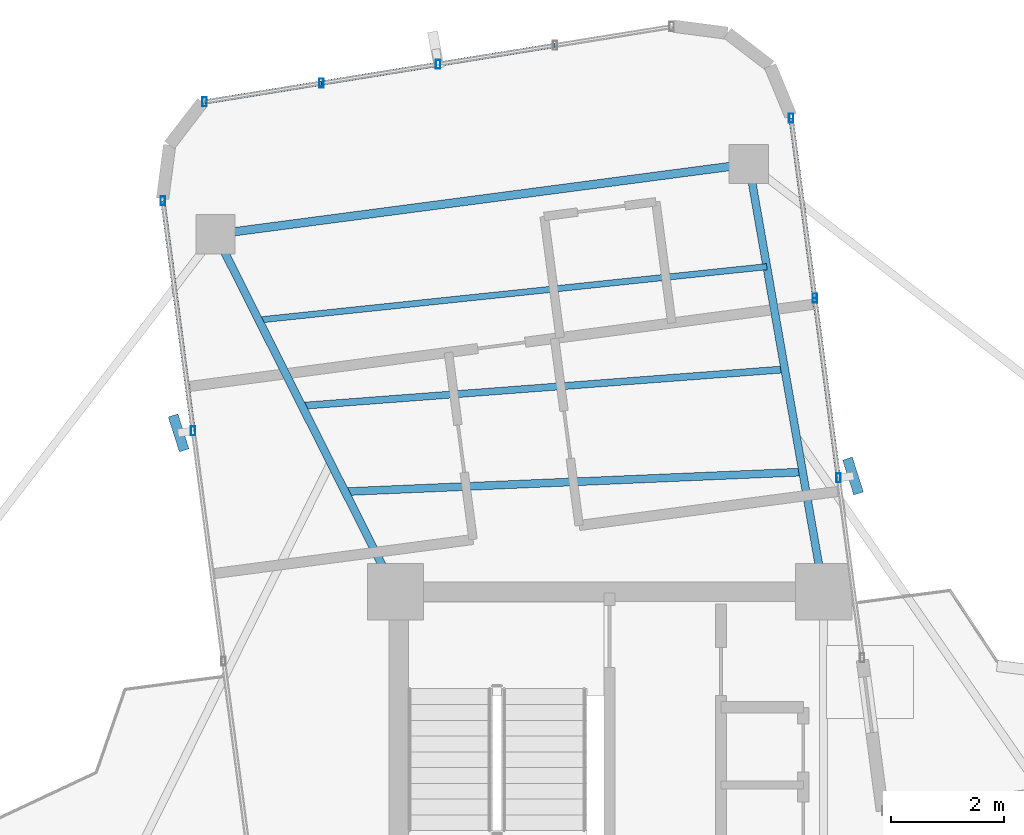
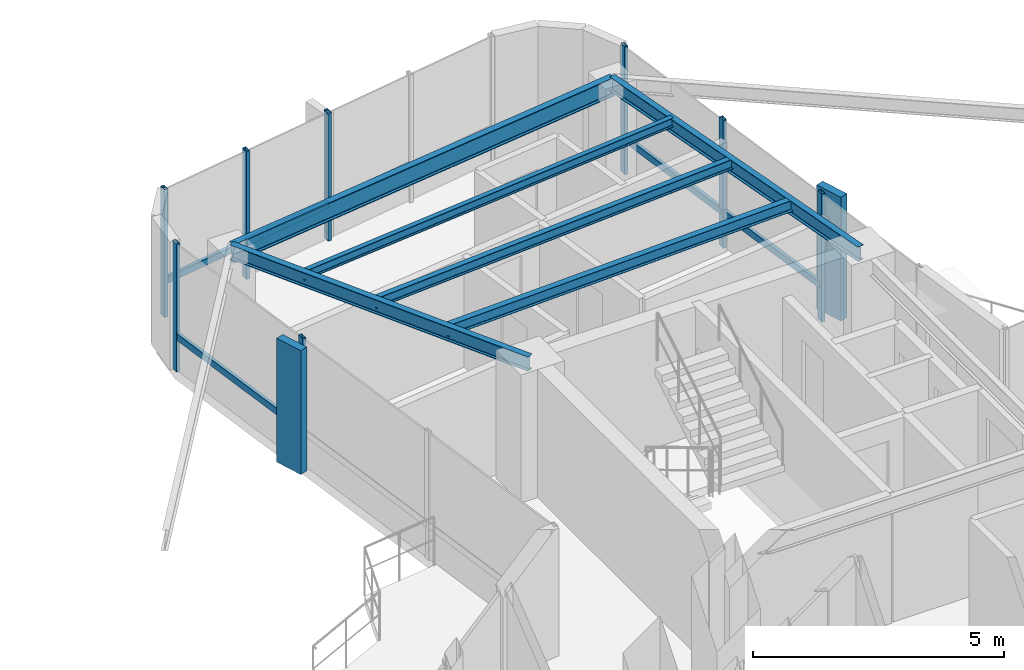
# One storey, part 14 of 22: 16 members, 6 beams, 3 elements without a shape of their own.
"""IFC4 building model written with IfcOpenShell, lengths in metres."""

from ifc_helpers import new_model, si_unit, direction, frame, origin, origin_2d, place, context, subcontext, project, spatial, rectangle, hollow_rectangle, i_section, extrude, source, transform, mapped, material, material_profile, profile_set, type_object, element, aggregate, save


model = new_model("IFC4")

# Units and contexts
model_context = context("Model", 3, precision=1e-05, world=origin(), true_north=direction((0.0, 1.0)))
body_context = subcontext(model_context, "Body", "Model", "MODEL_VIEW")
ifc_project = project(units=[si_unit("LENGTHUNIT", "METRE"), si_unit("AREAUNIT", "SQUARE_METRE"), si_unit("VOLUMEUNIT", "CUBIC_METRE"), si_unit("PLANEANGLEUNIT", "RADIAN"), si_unit("MASSUNIT", "GRAM", prefix="KILO")], contexts=[model_context])

# Site, building, storey
site_placement = place(None, origin())
site = spatial("IfcSite", under=ifc_project, at=site_placement, CompositionType="ELEMENT")
building_placement = place(site_placement, origin())
building = spatial("IfcBuilding", under=site, at=building_placement, Name="Sahyath Konkavel Grand Hotel", CompositionType="ELEMENT")
storey_placement = place(building_placement, frame((0.0, 0.0, 237.800048828125)))
storey = spatial("IfcBuildingStorey", under=building, at=storey_placement, Name="L66", CompositionType="ELEMENT", Elevation=237.800048828125)

# Beams
ifc_material_1 = material(Name="Steel E350", Category="steel")
ifc_material_profile_1 = material_profile(ifc_material_1, i_section(OverallWidth=0.139892578125, OverallDepth=0.35009765625, WebThickness=0.008056640625, FlangeThickness=0.01416015625, FilletRadius=0.013916015625, at=origin_2d()), Name="ISMB 350")
ifc_profile_set_1 = profile_set([ifc_material_profile_1], Name="Steel E350")
beam_type_1 = type_object("IfcBeamType", Name="BM-ISMB350", PredefinedType="BEAM", material=ifc_profile_set_1)
shared_shape_1 = source(origin(), body_context, "Body", "SweptSolid", [
    extrude(i_section(OverallWidth=0.139892578125, OverallDepth=0.35009765625, WebThickness=0.008056640625, FlangeThickness=0.01416015625, FilletRadius=0.013916015625, at=origin_2d()), origin(), (0.0, 0.0, 1.0), 7.710205078125),
])
beam_1_placement = place(storey_placement, frame((3.800048828125, 10.199951171875, 2.93505859375), z_axis=(-0.172065405207, 0.985085527419, 0.0), x_axis=(-0.985085527419, -0.172065405207, 0.0)))
element("IfcBeam", 1, at=beam_1_placement, inside=storey, type_object=beam_type_1, Name="L66 Cruciform Radial Girder NA", PredefinedType="BEAM", context=body_context, shape_type="MappedRepresentation", body=[
    mapped(shared_shape_1, transform((0.0, 0.0, 0.0), scale=1.0)),
])
shared_shape_2 = source(origin(), body_context, "Body", "SweptSolid", [
    extrude(i_section(OverallWidth=0.139892578125, OverallDepth=0.35009765625, WebThickness=0.008056640625, FlangeThickness=0.01416015625, FilletRadius=0.013916015625, at=origin_2d()), origin(), (0.0, 0.0, 1.0), 7.107177734375),
])
beam_2_placement = place(storey_placement, frame((-3.800048828125, 10.199951171875, 2.93505859375), z_axis=(-0.449520510343, 0.893270010008, 0.0), x_axis=(-0.893270010008, -0.449520510343, 0.0)))
element("IfcBeam", 2, at=beam_2_placement, inside=storey, type_object=beam_type_1, Name="L66 Cruciform Radial Girder NB", PredefinedType="BEAM", context=body_context, shape_type="MappedRepresentation", body=[
    mapped(shared_shape_2, transform((0.0, 0.0, 0.0), scale=1.0)),
])
ifc_material_profile_2 = material_profile(ifc_material_1, i_section(OverallWidth=0.14990234375, OverallDepth=0.449951171875, WebThickness=0.009521484375, FlangeThickness=0.017333984375, FilletRadius=0.014892578125, at=origin_2d()), Name="ISMB 450")
ifc_profile_set_2 = profile_set([ifc_material_profile_2], Name="Steel E350")
beam_type_2 = type_object("IfcBeamType", Name="BM-ISMB450", PredefinedType="BEAM", material=ifc_profile_set_2)
shared_shape_3 = source(origin(), body_context, "Body", "SweptSolid", [
    extrude(i_section(OverallWidth=0.14990234375, OverallDepth=0.449951171875, WebThickness=0.009521484375, FlangeThickness=0.017333984375, FilletRadius=0.014892578125, at=origin_2d()), origin(), (0.0, 0.0, 1.0), 9.550048828125),
])
beam_3_placement = place(storey_placement, frame((2.473388671875, 17.795166015625, 2.885009765625), z_axis=(-0.991444024889, -0.130532545797, 0.0), x_axis=(0.130532545797, -0.991444024889, 0.0)))
element("IfcBeam", 3, at=beam_3_placement, inside=storey, type_object=beam_type_2, Name="L66 Wing Tip Edge Beam N", PredefinedType="BEAM", context=body_context, shape_type="MappedRepresentation", body=[
    mapped(shared_shape_3, transform((0.0, 0.0, 0.0), scale=1.0)),
])
ifc_material_profile_3 = material_profile(ifc_material_1, i_section(OverallWidth=0.139892578125, OverallDepth=0.27490234375, WebThickness=0.00634765625, FlangeThickness=0.0087890625, FilletRadius=0.012939453125, at=origin_2d()), Name="ISLB 275")
ifc_profile_set_3 = profile_set([ifc_material_profile_3], Name="Steel E350")
beam_type_3 = type_object("IfcBeamType", Name="BM-ISLB275", PredefinedType="BEAM", material=ifc_profile_set_3)
shared_shape_4 = source(origin(), body_context, "Body", "SweptSolid", [
    extrude(i_section(OverallWidth=0.139892578125, OverallDepth=0.27490234375, WebThickness=0.00634765625, FlangeThickness=0.0087890625, FilletRadius=0.012939453125, at=origin_2d()), origin(), (0.0, 0.0, 1.0), 8.130859375),
])
beam_4_placement = place(storey_placement, frame((3.4287109375, 12.32666015625, 2.972412109375), z_axis=(-0.999077732229, -0.042938152769, 0.0), x_axis=(0.042938152769, -0.999077732229, 0.0)))
element("IfcBeam", 4, at=beam_4_placement, inside=storey, type_object=beam_type_3, Name="L66 Secondary Floor Beam N-1", PredefinedType="BEAM", context=body_context, shape_type="MappedRepresentation", body=[
    mapped(shared_shape_4, transform((0.0, 0.0, 0.0), scale=1.0)),
])
ifc_material_profile_4 = material_profile(ifc_material_1, i_section(OverallWidth=0.125, OverallDepth=0.25, WebThickness=0.0068359375, FlangeThickness=0.012451171875, FilletRadius=0.012939453125, at=origin_2d()), Name="ISMB 250")
ifc_profile_set_4 = profile_set([ifc_material_profile_4], Name="Steel E350")
beam_type_4 = type_object("IfcBeamType", Name="BM-ISMB250", PredefinedType="BEAM", material=ifc_profile_set_4)
shared_shape_5 = source(origin(), body_context, "Body", "SweptSolid", [
    extrude(i_section(OverallWidth=0.125, OverallDepth=0.25, WebThickness=0.0068359375, FlangeThickness=0.012451171875, FilletRadius=0.012939453125, at=origin_2d()), origin(), (0.0, 0.0, 1.0), 8.595703125),
])
beam_5_placement = place(storey_placement, frame((3.110107421875, 14.1494140625, 2.98486328125), z_axis=(-0.997152728002, -0.075408467952, 0.0), x_axis=(0.075408467952, -0.997152728002, 0.0)))
element("IfcBeam", 5, at=beam_5_placement, inside=storey, type_object=beam_type_4, Name="L66 Secondary Floor Beam N-2", PredefinedType="BEAM", context=body_context, shape_type="MappedRepresentation", body=[
    mapped(shared_shape_5, transform((0.0, 0.0, 0.0), scale=1.0)),
])
ifc_material_profile_5 = material_profile(ifc_material_1, i_section(OverallWidth=0.110107421875, OverallDepth=0.22509765625, WebThickness=0.006591796875, FlangeThickness=0.01171875, FilletRadius=0.011962890625, at=origin_2d()), Name="ISMB 225")
ifc_profile_set_5 = profile_set([ifc_material_profile_5], Name="Steel E350")
beam_type_5 = type_object("IfcBeamType", Name="BM-ISMB225", PredefinedType="BEAM", material=ifc_profile_set_5)
shared_shape_6 = source(origin(), body_context, "Body", "SweptSolid", [
    extrude(i_section(OverallWidth=0.110107421875, OverallDepth=0.22509765625, WebThickness=0.006591796875, FlangeThickness=0.01171875, FilletRadius=0.011962890625, at=origin_2d()), origin(), (0.0, 0.0, 1.0), 9.0693359375),
])
beam_6_placement = place(storey_placement, frame((2.791748046875, 15.972412109375, 2.99755859375), z_axis=(-0.994527703237, -0.104473190317, 0.0), x_axis=(0.104473190317, -0.994527703237, 0.0)))
element("IfcBeam", 6, at=beam_6_placement, inside=storey, type_object=beam_type_5, Name="L66 Secondary Floor Beam N-3", PredefinedType="BEAM", context=body_context, shape_type="MappedRepresentation", body=[
    mapped(shared_shape_6, transform((0.0, 0.0, 0.0), scale=1.0)),
])

# Curtain wall, members
ifc_material_2 = material(Name="Anodised Bronze Aluminium & Low-E Glazing", Category="aluminium")
curtain_wall_type = type_object("IfcCurtainWallType", Name="CW-ZONE4", PredefinedType="NOTDEFINED", material=ifc_material_2)
curtain_wall_1_placement = place(storey_placement, origin())
curtain_wall_1 = element("IfcCurtainWall", 7, at=curtain_wall_1_placement, inside=storey, type_object=curtain_wall_type, Name="L66 Unitised Curtain Wall F8", PredefinedType="NOTDEFINED")
ifc_material_3 = material(Name="Anodised Bronze Aluminium", Category="aluminium")
ifc_material_profile_6 = material_profile(ifc_material_3, hollow_rectangle(XDim=0.080078125, YDim=0.159912109375, WallThickness=0.006103515625, at=origin_2d()), Name="RHS 160x80x6")
ifc_profile_set_6 = profile_set([ifc_material_profile_6], Name="Anodised Bronze Aluminium")
member_type_1 = type_object("IfcMemberType", Name="CW-MUL-160", PredefinedType="MULLION", material=ifc_profile_set_6)
shared_shape_7 = source(origin(), body_context, "Body", "SweptSolid", [
    extrude(hollow_rectangle(XDim=0.080078125, YDim=0.159912109375, WallThickness=0.006103515625, at=origin_2d()), origin(), (0.0, 0.0, 1.0), 3.10986328125),
])
member_1_placement = place(storey_placement, frame((4.064697265625, 12.2216796875, 0.0), z_axis=(0.0, 0.0, 1.0), x_axis=(1.0, 0.0, 0.0)))
member_1 = element("IfcMember", 8, at=member_1_placement, type_object=member_type_1, Name="L66 Curtain Wall Mullion F8-1", PredefinedType="MULLION", context=body_context, shape_type="MappedRepresentation", body=[
    mapped(shared_shape_7, transform((0.0, 0.0, 0.0), scale=1.0)),
])
member_2_placement = place(storey_placement, frame((3.64404296875, 15.415771484375, 0.0), z_axis=(0.0, 0.0, 1.0), x_axis=(1.0, 0.0, 0.0)))
member_2 = element("IfcMember", 9, at=member_2_placement, type_object=member_type_1, Name="L66 Curtain Wall Mullion F8-2", PredefinedType="MULLION", context=body_context, shape_type="MappedRepresentation", body=[
    mapped(shared_shape_7, transform((0.0, 0.0, 0.0), scale=1.0)),
])
member_3_placement = place(storey_placement, frame((3.223388671875, 18.60986328125, 0.0), z_axis=(0.0, 0.0, 1.0), x_axis=(1.0, 0.0, 0.0)))
member_3 = element("IfcMember", 10, at=member_3_placement, type_object=member_type_1, Name="L66 Curtain Wall Mullion F8-3", PredefinedType="MULLION", context=body_context, shape_type="MappedRepresentation", body=[
    mapped(shared_shape_7, transform((0.0, 0.0, 0.0), scale=1.0)),
])

curtain_wall_2_placement = place(storey_placement, origin())
curtain_wall_2 = element("IfcCurtainWall", 11, at=curtain_wall_2_placement, inside=storey, type_object=curtain_wall_type, Name="L66 Unitised Curtain Wall F12", PredefinedType="NOTDEFINED")
member_4_placement = place(storey_placement, frame((-3.04248046875, 19.56640625, 0.0), z_axis=(0.0, 0.0, 1.0), x_axis=(1.0, 0.0, 0.0)))
member_4 = element("IfcMember", 12, at=member_4_placement, type_object=member_type_1, Name="L66 Curtain Wall Mullion F12-2", PredefinedType="MULLION", context=body_context, shape_type="MappedRepresentation", body=[
    mapped(shared_shape_7, transform((0.0, 0.0, 0.0), scale=1.0)),
])
member_5_placement = place(storey_placement, frame((-5.115234375, 19.231689453125, 0.0), z_axis=(0.0, 0.0, 1.0), x_axis=(1.0, 0.0, 0.0)))
member_5 = element("IfcMember", 13, at=member_5_placement, type_object=member_type_1, Name="L66 Curtain Wall Mullion F12-3", PredefinedType="MULLION", context=body_context, shape_type="MappedRepresentation", body=[
    mapped(shared_shape_7, transform((0.0, 0.0, 0.0), scale=1.0)),
])
member_6_placement = place(storey_placement, frame((-7.18798828125, 18.896728515625, 0.0), z_axis=(0.0, 0.0, 1.0), x_axis=(1.0, 0.0, 0.0)))
member_6 = element("IfcMember", 14, at=member_6_placement, type_object=member_type_1, Name="L66 Curtain Wall Mullion F12-4", PredefinedType="MULLION", context=body_context, shape_type="MappedRepresentation", body=[
    mapped(shared_shape_7, transform((0.0, 0.0, 0.0), scale=1.0)),
])

curtain_wall_3_placement = place(storey_placement, origin())
curtain_wall_3 = element("IfcCurtainWall", 15, at=curtain_wall_3_placement, inside=storey, type_object=curtain_wall_type, Name="L66 Unitised Curtain Wall F15", PredefinedType="NOTDEFINED")
member_7_placement = place(storey_placement, frame((-7.930419921875, 17.1416015625, 0.0), z_axis=(0.0, 0.0, 1.0), x_axis=(1.0, 0.0, 0.0)))
member_7 = element("IfcMember", 16, at=member_7_placement, type_object=member_type_1, Name="L66 Curtain Wall Mullion F15-0", PredefinedType="MULLION", context=body_context, shape_type="MappedRepresentation", body=[
    mapped(shared_shape_7, transform((0.0, 0.0, 0.0), scale=1.0)),
])
member_8_placement = place(storey_placement, frame((-7.392333984375, 13.05517578125, 0.0), z_axis=(0.0, 0.0, 1.0), x_axis=(1.0, 0.0, 0.0)))
member_8 = element("IfcMember", 17, at=member_8_placement, type_object=member_type_1, Name="L66 Curtain Wall Mullion F15-1", PredefinedType="MULLION", context=body_context, shape_type="MappedRepresentation", body=[
    mapped(shared_shape_7, transform((0.0, 0.0, 0.0), scale=1.0)),
])

# Member
ifc_material_4 = material(Name="Warm Buff Sandstone Cladding on Concrete C50/60", Category="masonry")
ifc_material_profile_7 = material_profile(ifc_material_4, rectangle(XDim=0.179931640625, YDim=0.64990234375, at=origin_2d()), Name="FIN 180x650")
ifc_profile_set_7 = profile_set([ifc_material_profile_7], Name="Warm Buff Sandstone Cladding on Concrete C50/60")
member_type_2 = type_object("IfcMemberType", Name="FIN-SANDSTONE-650", PredefinedType="MULLION", material=ifc_profile_set_7)
shared_shape_8 = source(origin(), body_context, "Body", "SweptSolid", [
    extrude(rectangle(XDim=0.179931640625, YDim=0.64990234375, at=origin_2d()), origin(), (0.0, 0.0, 1.0), 3.010009765625),
])
member_9_placement = place(storey_placement, frame((4.322509765625, 12.255615234375, 0.050048828125), z_axis=(0.0, 0.0, 1.0), x_axis=(0.952502159334, 0.304531831612, 0.0)))
member_9 = element("IfcMember", 18, at=member_9_placement, type_object=member_type_2, Name="L66 Sandstone Vertical Solar Fin FIN F8-1", PredefinedType="MULLION", context=body_context, shape_type="MappedRepresentation", body=[
    mapped(shared_shape_8, transform((0.0, 0.0, 0.0), scale=1.0)),
])

member_10_placement = place(storey_placement, frame((-7.650146484375, 13.021240234375, 0.050048828125), z_axis=(0.0, 0.0, 1.0), x_axis=(0.952502159334, 0.304531831612, 0.0)))
member_10 = element("IfcMember", 19, at=member_10_placement, type_object=member_type_2, Name="L66 Sandstone Vertical Solar Fin FIN F15-1", PredefinedType="MULLION", context=body_context, shape_type="MappedRepresentation", body=[
    mapped(shared_shape_8, transform((0.0, 0.0, 0.0), scale=1.0)),
])

ifc_material_profile_8 = material_profile(ifc_material_3, hollow_rectangle(XDim=0.080078125, YDim=0.159912109375, WallThickness=0.006103515625, at=origin_2d()), Name="RHS 160x80x6")
ifc_profile_set_8 = profile_set([ifc_material_profile_8], Name="Anodised Bronze Aluminium")
member_type_3 = type_object("IfcMemberType", Name="CW-TRN-160", PredefinedType="USERDEFINED", material=ifc_profile_set_8)
shared_shape_9 = source(origin(), body_context, "Body", "SweptSolid", [
    extrude(hollow_rectangle(XDim=0.080078125, YDim=0.159912109375, WallThickness=0.006103515625, at=origin_2d()), origin(), (0.0, 0.0, 1.0), 3.2216796875),
])
member_11_placement = place(storey_placement, frame((4.064697265625, 12.2216796875, 0.849853515625), z_axis=(-0.130570168838, 0.99143907075, 0.0), x_axis=(-0.99143907075, -0.130570168838, 0.0)))
member_11 = element("IfcMember", 20, at=member_11_placement, type_object=member_type_3, Name="L66 Curtain Wall Transom F8-1-spandrel", ObjectType="TRANSOM", PredefinedType="USERDEFINED", context=body_context, shape_type="MappedRepresentation", body=[
    mapped(shared_shape_9, transform((0.0, 0.0, 0.0), scale=1.0)),
])

member_12_placement = place(storey_placement, frame((3.64404296875, 15.415771484375, 0.849853515625), z_axis=(-0.130570168838, 0.99143907075, 0.0), x_axis=(-0.99143907075, -0.130570168838, 0.0)))
member_12 = element("IfcMember", 21, at=member_12_placement, type_object=member_type_3, Name="L66 Curtain Wall Transom F8-2-spandrel", ObjectType="TRANSOM", PredefinedType="USERDEFINED", context=body_context, shape_type="MappedRepresentation", body=[
    mapped(shared_shape_9, transform((0.0, 0.0, 0.0), scale=1.0)),
])

aggregate(curtain_wall_1, [member_1, member_9, member_2, member_3, member_11, member_12])

shared_shape_10 = source(origin(), body_context, "Body", "SweptSolid", [
    extrude(hollow_rectangle(XDim=0.080078125, YDim=0.159912109375, WallThickness=0.006103515625, at=origin_2d()), origin(), (0.0, 0.0, 1.0), 2.099609375),
])
member_13_placement = place(storey_placement, frame((-0.9697265625, 19.901123046875, 0.849853515625), z_axis=(-0.987211030881, -0.159418883785, 0.0), x_axis=(0.159418883785, -0.987211030881, 0.0)))
member_13 = element("IfcMember", 22, at=member_13_placement, type_object=member_type_3, Name="L66 Curtain Wall Transom F12-1-spandrel", ObjectType="TRANSOM", PredefinedType="USERDEFINED", context=body_context, shape_type="MappedRepresentation", body=[
    mapped(shared_shape_10, transform((0.0, 0.0, 0.0), scale=1.0)),
])

member_14_placement = place(storey_placement, frame((-3.04248046875, 19.56640625, 0.849853515625), z_axis=(-0.987211030881, -0.159418883785, 0.0), x_axis=(0.159418883785, -0.987211030881, 0.0)))
member_14 = element("IfcMember", 23, at=member_14_placement, type_object=member_type_3, Name="L66 Curtain Wall Transom F12-2-spandrel", ObjectType="TRANSOM", PredefinedType="USERDEFINED", context=body_context, shape_type="MappedRepresentation", body=[
    mapped(shared_shape_10, transform((0.0, 0.0, 0.0), scale=1.0)),
])

member_15_placement = place(storey_placement, frame((-5.115234375, 19.231689453125, 0.849853515625), z_axis=(-0.987192724675, -0.159532204741, 0.0), x_axis=(0.159532204741, -0.987192724675, 0.0)))
member_15 = element("IfcMember", 24, at=member_15_placement, type_object=member_type_3, Name="L66 Curtain Wall Transom F12-3-spandrel", ObjectType="TRANSOM", PredefinedType="USERDEFINED", context=body_context, shape_type="MappedRepresentation", body=[
    mapped(shared_shape_10, transform((0.0, 0.0, 0.0), scale=1.0)),
])

aggregate(curtain_wall_2, [member_4, member_5, member_6, member_13, member_14, member_15])

shared_shape_11 = source(origin(), body_context, "Body", "SweptSolid", [
    extrude(hollow_rectangle(XDim=0.080078125, YDim=0.159912109375, WallThickness=0.006103515625, at=origin_2d()), origin(), (0.0, 0.0, 1.0), 4.12158203125),
])
member_16_placement = place(storey_placement, frame((-7.930419921875, 17.1416015625, 0.849853515625), z_axis=(0.13054951056, -0.991441791177, 0.0), x_axis=(0.991441791177, 0.13054951056, 0.0)))
member_16 = element("IfcMember", 25, at=member_16_placement, type_object=member_type_3, Name="L66 Curtain Wall Transom F15-0-spandrel", ObjectType="TRANSOM", PredefinedType="USERDEFINED", context=body_context, shape_type="MappedRepresentation", body=[
    mapped(shared_shape_11, transform((0.0, 0.0, 0.0), scale=1.0)),
])

aggregate(curtain_wall_3, [member_7, member_8, member_10, member_16])

save(model, "model.ifc")
